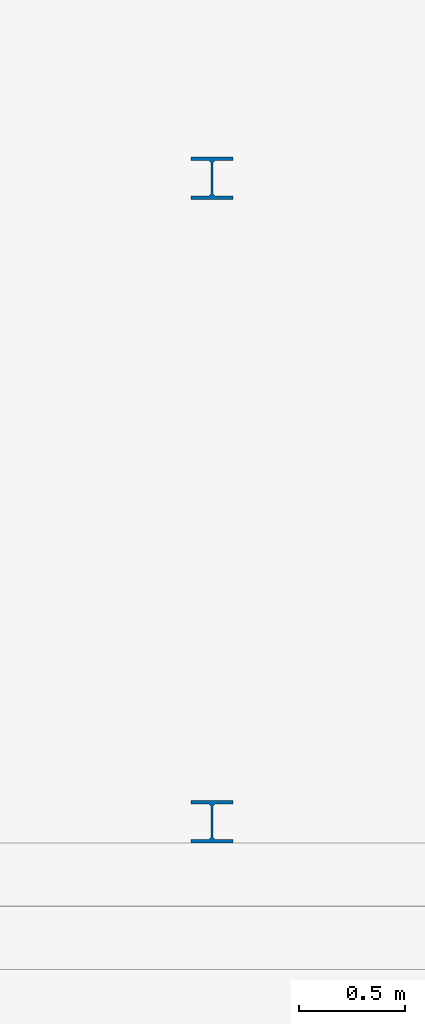
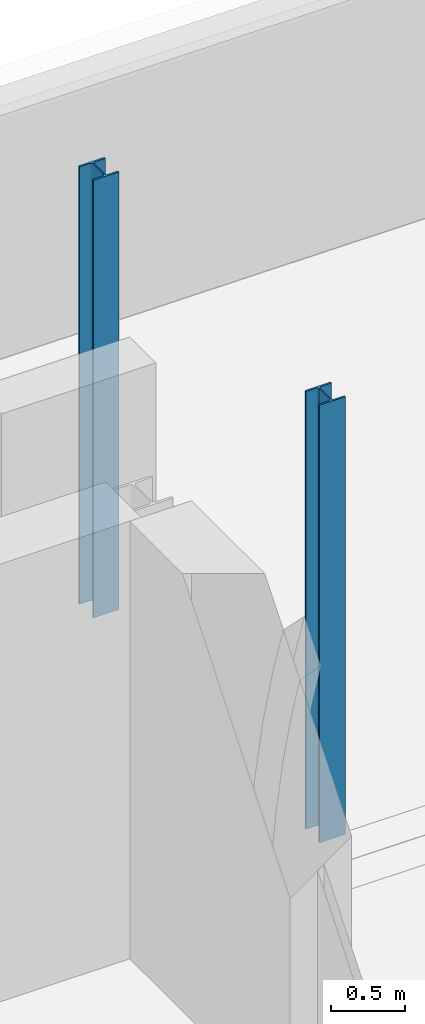
# One storey, part 29 of 143: 2 columns.
"""IFC4 building model written with IfcOpenShell, lengths in metres."""

from ifc_helpers import new_model, si_unit, direction, frame, origin, origin_2d, place, context, subcontext, project, spatial, i_section, extrude, material, material_profile, profile_set, type_object, element, save


model = new_model("IFC4")

# Units and contexts
model_context = context("Model", 3, precision=1e-05, world=origin(), true_north=direction((0.0, 1.0)))
body_context = subcontext(model_context, "Body", "Model", "MODEL_VIEW")
ifc_project = project(units=[si_unit("LENGTHUNIT", "METRE"), si_unit("AREAUNIT", "SQUARE_METRE"), si_unit("VOLUMEUNIT", "CUBIC_METRE"), si_unit("PLANEANGLEUNIT", "RADIAN"), si_unit("MASSUNIT", "GRAM", prefix="KILO")], contexts=[model_context])

# Site, building, storey
site_placement = place(None, origin())
site = spatial("IfcSite", under=ifc_project, at=site_placement, CompositionType="ELEMENT")
building_placement = place(site_placement, origin())
building = spatial("IfcBuilding", under=site, at=building_placement, Name="Kupolbacken Congress Centre", CompositionType="ELEMENT")
storey_placement = place(building_placement, frame((0.0, 0.0, 7.199951171875)))
storey = spatial("IfcBuildingStorey", under=building, at=storey_placement, Name="L02", CompositionType="ELEMENT", Elevation=7.199951171875)

# Columns
ifc_material = material(Name="Steel S355", Category="steel")
ifc_material_profile = material_profile(ifc_material, i_section(OverallWidth=0.199951171875, OverallDepth=0.199951171875, WebThickness=0.009033203125, FlangeThickness=0.014892578125, FilletRadius=0.01806640625, at=origin_2d()), Name="HEB 200")
ifc_profile_set = profile_set([ifc_material_profile], Name="Steel S355")
column_type = type_object("IfcColumnType", Name="C11 column HEB 200", PredefinedType="COLUMN", material=ifc_profile_set)
for number, where, z_axis, x_axis, name in (
    (1, (203.25, 151.60009765625, 0.0), (0.0, 0.0, 1.0), (1.0, 0.0, 0.0), "Covered passage column"),
    (2, (203.25, 154.64990234375, 0.0), (0.0, 0.0, 1.0), (1.0, 0.0, 0.0), "Covered passage column"),
):
    element("IfcColumn", number, at=place(storey_placement, frame(where, z_axis=z_axis, x_axis=x_axis)), inside=storey, type_object=column_type, Name=name, PredefinedType="COLUMN", context=body_context, shape_type="SweptSolid", body=[
        extrude(i_section(OverallWidth=0.199951171875, OverallDepth=0.199951171875, WebThickness=0.009033203125, FlangeThickness=0.014892578125, FilletRadius=0.01806640625, at=origin_2d()), origin(), (0.0, 0.0, 1.0), 3.60009765625),
    ])

save(model, "model.ifc")
